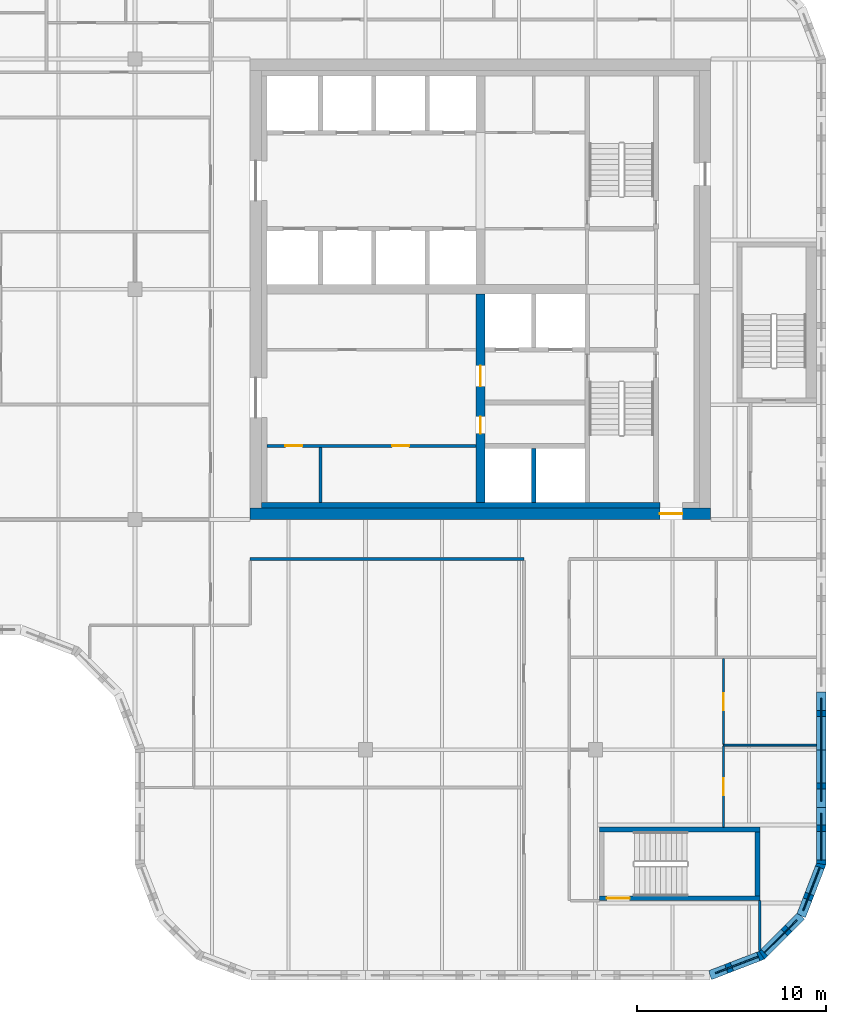
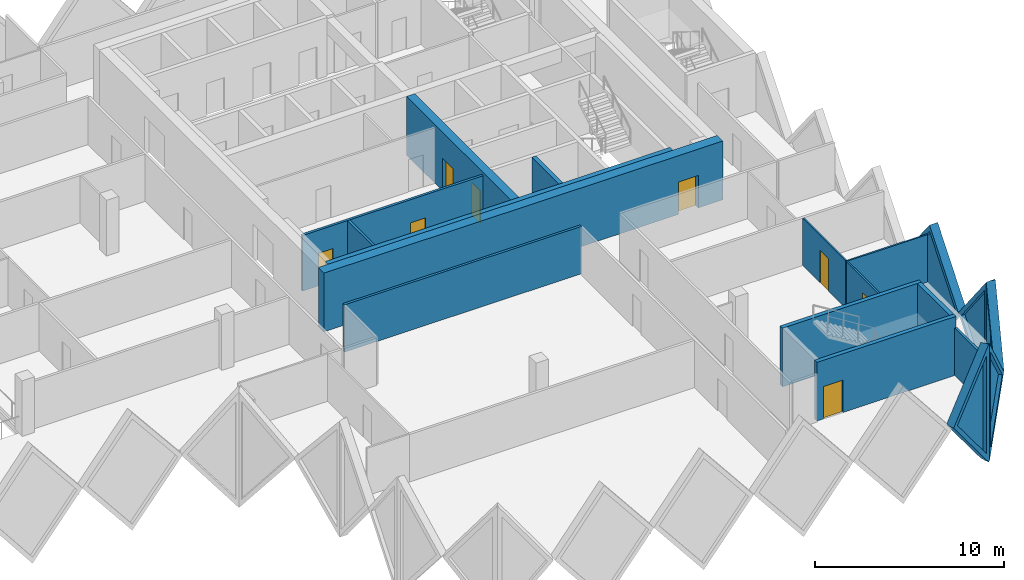
# One storey, part 5 of 11: 19 walls, 8 doors, 5 plates, 13 openings.
"""IFC4 building model written with IfcOpenShell, lengths in metres."""

from ifc_helpers import new_model, si_unit, direction, frame, frame_2d, origin, place, context, subcontext, project, spatial, polyline, rectangle, outline, extrude, faceted_brep, source, transform, mapped, material, layer, layer_set, type_object, element, fill, save


model = new_model("IFC4")

# Units and contexts
model_context = context("Model", 3, precision=1e-05, world=origin(), true_north=direction((0.0, 1.0)))
body_context = subcontext(model_context, "Body", "Model", "MODEL_VIEW")
ifc_project = project(units=[si_unit("LENGTHUNIT", "METRE"), si_unit("AREAUNIT", "SQUARE_METRE"), si_unit("VOLUMEUNIT", "CUBIC_METRE"), si_unit("PLANEANGLEUNIT", "RADIAN"), si_unit("MASSUNIT", "GRAM", prefix="KILO")], contexts=[model_context])

# Site, building, storey
site_placement = place(None, origin())
site = spatial("IfcSite", under=ifc_project, at=site_placement, CompositionType="ELEMENT")
building_placement = place(site_placement, origin())
building = spatial("IfcBuilding", under=site, at=building_placement, Name="Tessera Gate Towers", CompositionType="ELEMENT")
storey_placement = place(building_placement, frame((0.0, 0.0, 166.800048828125)))
storey = spatial("IfcBuildingStorey", under=building, at=storey_placement, Name="L41", CompositionType="ELEMENT", Elevation=166.800048828125)

# Wall
ifc_material_1 = material(Name="Concrete C40/50", Category="concrete")
ifc_layer_1 = layer(ifc_material_1, 0.25)
ifc_layer_set_1 = layer_set([ifc_layer_1], Name="CORE ENCLOSURE WALL 250")
wall_type_1 = type_object("IfcWallType", Name="CORE ENCLOSURE WALL 250", PredefinedType="SOLIDWALL", material=ifc_layer_set_1)
wall_1_placement = place(storey_placement, frame((45.52490234375, 25.300048828125, 0.0), z_axis=(0.0, 0.0, 1.0), x_axis=(0.0, 1.0, 0.0)))
element("IfcWall", 1, at=wall_1_placement, inside=storey, type_object=wall_type_1, Name="L41 shaft and stair enclosure wall", PredefinedType="SOLIDWALL", context=body_context, shape_type="SweptSolid", body=[
    extrude(rectangle(XDim=2.875, YDim=0.25, at=frame_2d((1.4375, 0.0))), origin(), (0.0, 0.0, 1.0), 3.800048828125),
])

# Wall, opening, door
wall_2_placement = place(storey_placement, frame((57.5, 4.324951171875, 0.0), z_axis=(0.0, 0.0, 1.0), x_axis=(-1.0, 0.0, 0.0)))
wall_2 = element("IfcWall", 2, at=wall_2_placement, inside=storey, type_object=wall_type_1, Name="L41 ST4 enclosure wall", PredefinedType="SOLIDWALL", context=body_context, shape_type="SweptSolid", body=[
    extrude(rectangle(XDim=8.5, YDim=0.25, at=frame_2d((4.25, 0.0))), origin(), (0.0, 0.0, 1.0), 3.800048828125),
])
shared_shape_1 = source(origin(), body_context, "Body", "SweptSolid", [
    extrude(rectangle(XDim=1.199951171875, YDim=2.10009765625, at=frame_2d((0.60009765625, 1.050048828125))), frame((0.0, 0.135009765625, 0.0), z_axis=(0.0, -1.0, 0.0), x_axis=(1.0, 0.0, 0.0)), (0.0, 0.0, 1.0), 0.27001953125),
])
opening_1_placement = place(wall_2_placement, frame((6.89990234375, 0.0, 0.0)))
opening_1 = element("IfcOpeningElement", 3, at=opening_1_placement, cuts=wall_2, Name="Opening SD-ST4-1", PredefinedType="OPENING", context=body_context, shape_type="MappedRepresentation", body=[
    mapped(shared_shape_1, transform((0.0, 0.0, 0.0), scale=1.0)),
])
ifc_material_2 = material(Name="Hollow steel fire door", Category="steel")
door_type_1 = type_object("IfcDoorType", Name="CORE DOOR SD 1200x2100", OperationType="NOTDEFINED", PredefinedType="DOOR", material=ifc_material_2)
shared_shape_2 = source(origin(), body_context, "Body", "SweptSolid", [
    extrude(rectangle(XDim=1.199951171875, YDim=2.10009765625, at=frame_2d((0.60009765625, 1.050048828125))), frame((0.0, 0.02490234375, 0.0), z_axis=(0.0, -1.0, 0.0), x_axis=(1.0, 0.0, 0.0)), (0.0, 0.0, 1.0), 0.050048828125),
])
door_1_placement = place(opening_1_placement, origin())
door_1 = element("IfcDoor", 4, at=door_1_placement, inside=storey, type_object=door_type_1, Name="Stair door", OperationType="SINGLE_SWING_RIGHT", OverallHeight=2.10009765625, OverallWidth=1.199951171875, PredefinedType="DOOR", context=body_context, shape_type="MappedRepresentation", body=[
    mapped(shared_shape_2, transform((0.0, 0.0, 0.0), scale=1.0)),
])
fill(opening_1, door_1)

# Walls
wall_3_placement = place(storey_placement, frame((49.0, 7.97509765625, 0.0), z_axis=(0.0, 0.0, 1.0), x_axis=(1.0, 0.0, 0.0)))
element("IfcWall", 5, at=wall_3_placement, inside=storey, type_object=wall_type_1, Name="L41 ST4 enclosure wall", PredefinedType="SOLIDWALL", context=body_context, shape_type="SweptSolid", body=[
    extrude(rectangle(XDim=8.5, YDim=0.25, at=frame_2d((4.25, 0.0))), origin(), (0.0, 0.0, 1.0), 3.800048828125),
])
wall_4_placement = place(storey_placement, frame((57.375, 7.85009765625, 0.0), z_axis=(0.0, 0.0, 1.0), x_axis=(0.0, -1.0, 0.0)))
element("IfcWall", 6, at=wall_4_placement, inside=storey, type_object=wall_type_1, Name="L41 ST4 enclosure wall", PredefinedType="SOLIDWALL", context=body_context, shape_type="SweptSolid", body=[
    extrude(rectangle(XDim=3.400146484375, YDim=0.25, at=frame_2d((1.7001953125, 0.0))), origin(), (0.0, 0.0, 1.0), 3.800048828125),
])

# Wall, opening, door
ifc_material_3 = material(Name="Concrete C50/60", Category="concrete")
ifc_layer_2 = layer(ifc_material_3, 0.60009765625)
ifc_layer_set_2 = layer_set([ifc_layer_2], Name="CORE SHEAR WALL 600 C50/60")
wall_type_2 = type_object("IfcWallType", Name="CORE SHEAR WALL 600 C50/60", PredefinedType="SHEAR", material=ifc_layer_set_2)
wall_5_placement = place(storey_placement, frame((54.89990234375, 24.699951171875, 0.0), z_axis=(0.0, 0.0, 1.0), x_axis=(-1.0, 0.0, 0.0)))
wall_5 = element("IfcWall", 7, at=wall_5_placement, inside=storey, type_object=wall_type_2, Name="Core wall S L41", PredefinedType="SHEAR", context=body_context, shape_type="SweptSolid", body=[
    extrude(rectangle(XDim=24.39990234375, YDim=0.60009765625, at=frame_2d((12.199951171875, 0.0))), origin(), (0.0, 0.0, 1.0), 3.800048828125),
])
shared_shape_3 = source(origin(), body_context, "Body", "SweptSolid", [
    extrude(rectangle(XDim=1.199951171875, YDim=2.10009765625, at=frame_2d((0.60009765625, 1.050048828125))), frame((0.0, 0.31005859375, 0.0), z_axis=(0.0, -1.0, 0.0), x_axis=(1.0, 0.0, 0.0)), (0.0, 0.0, 1.0), 0.6201171875),
])
opening_2_placement = place(wall_5_placement, frame((1.5, 0.0, 0.0)))
opening_2 = element("IfcOpeningElement", 8, at=opening_2_placement, cuts=wall_5, Name="Opening ED-T1-26-01", PredefinedType="OPENING", context=body_context, shape_type="MappedRepresentation", body=[
    mapped(shared_shape_3, transform((0.0, 0.0, 0.0), scale=1.0)),
])
ifc_material_4 = material(Name="Hollow steel fire door", Category="steel")
door_type_2 = type_object("IfcDoorType", Name="CORE DOOR ED 1200x2100", OperationType="NOTDEFINED", PredefinedType="DOOR", material=ifc_material_4)
door_2_placement = place(opening_2_placement, origin())
door_2 = element("IfcDoor", 9, at=door_2_placement, inside=storey, type_object=door_type_2, Name="Core exit door", OperationType="SINGLE_SWING_LEFT", OverallHeight=2.10009765625, OverallWidth=1.199951171875, PredefinedType="DOOR", context=body_context, shape_type="MappedRepresentation", body=[
    mapped(shared_shape_2, transform((0.0, 0.0, 0.0), scale=1.0)),
])
fill(opening_2, door_2)

# Wall, openings, doors
ifc_material_5 = material(Name="Concrete C50/60", Category="concrete")
ifc_layer_3 = layer(ifc_material_5, 0.5)
ifc_layer_set_3 = layer_set([ifc_layer_3], Name="CORE SPINE WALL 500 C50/60")
wall_type_3 = type_object("IfcWallType", Name="CORE SPINE WALL 500 C50/60", PredefinedType="SHEAR", material=ifc_layer_set_3)
wall_6_placement = place(storey_placement, frame((42.699951171875, 36.35009765625, 0.0), z_axis=(0.0, 0.0, 1.0), x_axis=(0.0, -1.0, 0.0)))
wall_6 = element("IfcWall", 10, at=wall_6_placement, inside=storey, type_object=wall_type_3, Name="Core wall spine L41", PredefinedType="SHEAR", context=body_context, shape_type="SweptSolid", body=[
    extrude(rectangle(XDim=11.050048828125, YDim=0.5, at=frame_2d((5.52490234375, 0.0))), origin(), (0.0, 0.0, 1.0), 3.800048828125),
])
shared_shape_4 = source(origin(), body_context, "Body", "SweptSolid", [
    extrude(rectangle(XDim=0.89990234375, YDim=2.10009765625, at=frame_2d((0.449951171875, 1.050048828125))), frame((0.0, 0.260009765625, 0.0), z_axis=(0.0, -1.0, 0.0), x_axis=(1.0, 0.0, 0.0)), (0.0, 0.0, 1.0), 0.52001953125),
])
opening_3_placement = place(wall_6_placement, frame((6.5, 0.0, 0.0)))
opening_3 = element("IfcOpeningElement", 11, at=opening_3_placement, cuts=wall_6, Name="Opening RD-T1-26-05", PredefinedType="OPENING", context=body_context, shape_type="MappedRepresentation", body=[
    mapped(shared_shape_4, transform((0.0, 0.0, 0.0), scale=1.0)),
])
shared_shape_5 = source(origin(), body_context, "Body", "SweptSolid", [
    extrude(rectangle(XDim=1.10009765625, YDim=2.10009765625, at=frame_2d((0.550048828125, 1.050048828125))), frame((0.0, 0.260009765625, 0.0), z_axis=(0.0, -1.0, 0.0), x_axis=(1.0, 0.0, 0.0)), (0.0, 0.0, 1.0), 0.52001953125),
])
opening_4_placement = place(wall_6_placement, frame((3.800048828125, 0.0, 0.0)))
opening_4 = element("IfcOpeningElement", 12, at=opening_4_placement, cuts=wall_6, Name="Opening FD-T1-26-06", PredefinedType="OPENING", context=body_context, shape_type="MappedRepresentation", body=[
    mapped(shared_shape_5, transform((0.0, 0.0, 0.0), scale=1.0)),
])
ifc_material_6 = material(Name="Hollow steel fire door", Category="steel")
door_type_3 = type_object("IfcDoorType", Name="CORE DOOR RD 900x2100", OperationType="NOTDEFINED", PredefinedType="DOOR", material=ifc_material_6)
shared_shape_6 = source(origin(), body_context, "Body", "SweptSolid", [
    extrude(rectangle(XDim=0.89990234375, YDim=2.10009765625, at=frame_2d((0.449951171875, 1.050048828125))), frame((0.0, 0.02490234375, 0.0), z_axis=(0.0, -1.0, 0.0), x_axis=(1.0, 0.0, 0.0)), (0.0, 0.0, 1.0), 0.050048828125),
])
door_3_placement = place(opening_3_placement, origin())
door_3 = element("IfcDoor", 13, at=door_3_placement, inside=storey, type_object=door_type_3, Name="Core room door", OperationType="SINGLE_SWING_RIGHT", OverallHeight=2.10009765625, OverallWidth=0.89990234375, PredefinedType="DOOR", context=body_context, shape_type="MappedRepresentation", body=[
    mapped(shared_shape_6, transform((0.0, 0.0, 0.0), scale=1.0)),
])
fill(opening_3, door_3)
ifc_material_7 = material(Name="Hollow steel fire door", Category="steel")
door_type_4 = type_object("IfcDoorType", Name="CORE DOOR FD 1100x2100", OperationType="NOTDEFINED", PredefinedType="DOOR", material=ifc_material_7)
shared_shape_7 = source(origin(), body_context, "Body", "SweptSolid", [
    extrude(rectangle(XDim=1.10009765625, YDim=2.10009765625, at=frame_2d((0.550048828125, 1.050048828125))), frame((0.0, 0.02490234375, 0.0), z_axis=(0.0, -1.0, 0.0), x_axis=(1.0, 0.0, 0.0)), (0.0, 0.0, 1.0), 0.050048828125),
])
door_4_placement = place(opening_4_placement, origin())
door_4 = element("IfcDoor", 14, at=door_4_placement, inside=storey, type_object=door_type_4, Name="Fire-fighting lobby door", OperationType="SINGLE_SWING_LEFT", OverallHeight=2.10009765625, OverallWidth=1.10009765625, PredefinedType="DOOR", context=body_context, shape_type="MappedRepresentation", body=[
    mapped(shared_shape_7, transform((0.0, 0.0, 0.0), scale=1.0)),
])
fill(opening_4, door_4)

# Walls
ifc_material_8 = material(Name="Concrete C50/60", Category="concrete")
ifc_layer_4 = layer(ifc_material_8, 0.300048828125)
ifc_layer_set_4 = layer_set([ifc_layer_4], Name="CORE WALL THICKENING 300")
wall_type_4 = type_object("IfcWallType", Name="CORE WALL THICKENING 300", PredefinedType="SOLIDWALL", material=ifc_layer_set_4)
wall_7_placement = place(storey_placement, frame((31.10009765625, 25.14990234375, 0.0), z_axis=(0.0, 0.0, 1.0), x_axis=(1.0, 0.0, 0.0)))
element("IfcWall", 15, at=wall_7_placement, inside=storey, type_object=wall_type_4, Name="Core wall thickening S L41", PredefinedType="SOLIDWALL", context=body_context, shape_type="SweptSolid", body=[
    extrude(rectangle(XDim=21.099853515625, YDim=0.300048828125, at=frame_2d((10.5498046875, 0.0))), origin(), (0.0, 0.0, 1.0), 3.800048828125),
])
ifc_material_9 = material(Name="Gypsum board on steel studs, mineral wool", Category="steel")
ifc_layer_5 = layer(ifc_material_9, 0.14990234375)
ifc_layer_set_5 = layer_set([ifc_layer_5], Name="CORRIDOR WALL 150")
wall_type_5 = type_object("IfcWallType", Name="CORRIDOR WALL 150", PredefinedType="PARTITIONING", material=ifc_layer_set_5)
wall_8_placement = place(storey_placement, frame((57.5, 1.55908203125, 0.0), z_axis=(0.0, 0.0, 1.0), x_axis=(0.0, 1.0, 0.0)))
element("IfcWall", 16, at=wall_8_placement, inside=storey, type_object=wall_type_5, Name="T1-L41-PW-002", PredefinedType="PARTITIONING", context=body_context, shape_type="SweptSolid", body=[
    extrude(rectangle(XDim=2.640869140625, YDim=0.14990234375, at=frame_2d((1.3203125, 0.0))), origin(), (0.0, 0.0, 1.0), 3.06689453125),
])
wall_9_placement = place(storey_placement, frame((30.5, 22.300048828125, 0.0), z_axis=(0.0, 0.0, 1.0), x_axis=(1.0, 0.0, 0.0)))
element("IfcWall", 17, at=wall_9_placement, inside=storey, type_object=wall_type_5, Name="T1-L41-PW-021", PredefinedType="PARTITIONING", context=body_context, shape_type="SweptSolid", body=[
    extrude(rectangle(XDim=14.5, YDim=0.14990234375, at=frame_2d((7.25, 0.0))), origin(), (0.0, 0.0, 1.0), 3.06689453125),
])

# Wall, opening, door
ifc_material_10 = material(Name="Gypsum board on steel studs", Category="steel")
ifc_layer_6 = layer(ifc_material_10, 0.10009765625)
ifc_layer_set_6 = layer_set([ifc_layer_6], Name="PARTITION 100")
wall_type_6 = type_object("IfcWallType", Name="PARTITION 100", PredefinedType="PARTITIONING", material=ifc_layer_set_6)
wall_10_placement = place(storey_placement, frame((55.574951171875, 12.396728515625, 0.0), z_axis=(0.0, 0.0, 1.0), x_axis=(0.0, -1.0, 0.0)))
wall_10 = element("IfcWall", 18, at=wall_10_placement, inside=storey, type_object=wall_type_6, Name="T1-L41-PW-005", PredefinedType="PARTITIONING", context=body_context, shape_type="SweptSolid", body=[
    extrude(rectangle(XDim=4.296630859375, YDim=0.10009765625, at=frame_2d((2.1484375, 0.0))), origin(), (0.0, 0.0, 1.0), 3.06689453125),
])
shared_shape_8 = source(origin(), body_context, "Body", "SweptSolid", [
    extrude(rectangle(XDim=0.89990234375, YDim=2.10009765625, at=frame_2d((0.449951171875, 1.050048828125))), frame((0.0, 0.06005859375, 0.0), z_axis=(0.0, -1.0, 0.0), x_axis=(1.0, 0.0, 0.0)), (0.0, 0.0, 1.0), 0.1201171875),
])
opening_5_placement = place(wall_10_placement, frame((1.69677734375, 0.0, 0.0)))
opening_5 = element("IfcOpeningElement", 19, at=opening_5_placement, cuts=wall_10, Name="Opening D190-A15-03", PredefinedType="OPENING", context=body_context, shape_type="MappedRepresentation", body=[
    mapped(shared_shape_8, transform((0.0, 0.0, 0.0), scale=1.0)),
])
ifc_material_11 = material(Name="Timber door leaf in steel frame", Category="steel")
door_type_5 = type_object("IfcDoorType", Name="INTERNAL DOOR 900 NOT RATED", OperationType="NOTDEFINED", PredefinedType="DOOR", material=ifc_material_11)
door_5_placement = place(opening_5_placement, origin())
door_5 = element("IfcDoor", 20, at=door_5_placement, inside=storey, type_object=door_type_5, Name="T1-L41-PD-004", OperationType="SINGLE_SWING_RIGHT", OverallHeight=2.10009765625, OverallWidth=0.89990234375, PredefinedType="DOOR", context=body_context, shape_type="MappedRepresentation", body=[
    mapped(shared_shape_6, transform((0.0, 0.0, 0.0), scale=1.0)),
])
fill(opening_5, door_5)

# Wall
wall_11_placement = place(storey_placement, frame((55.574951171875, 12.447998046875, 0.0), z_axis=(0.0, 0.0, 1.0), x_axis=(1.0, 0.0, 0.0)))
element("IfcWall", 21, at=wall_11_placement, inside=storey, type_object=wall_type_6, Name="T1-L41-PW-010", PredefinedType="PARTITIONING", context=body_context, shape_type="SweptSolid", body=[
    extrude(rectangle(XDim=4.925048828125, YDim=0.10009765625, at=frame_2d((2.46240234375, 0.0))), origin(), (0.0, 0.0, 1.0), 3.06689453125),
])

# Wall, opening, door
wall_12_placement = place(storey_placement, frame((55.574951171875, 17.02392578125, 0.0), z_axis=(0.0, 0.0, 1.0), x_axis=(0.0, -1.0, 0.0)))
wall_12 = element("IfcWall", 22, at=wall_12_placement, inside=storey, type_object=wall_type_6, Name="T1-L41-PW-011", PredefinedType="PARTITIONING", context=body_context, shape_type="SweptSolid", body=[
    extrude(rectangle(XDim=4.525146484375, YDim=0.10009765625, at=frame_2d((2.2626953125, 0.0))), origin(), (0.0, 0.0, 1.0), 3.06689453125),
])
opening_6_placement = place(wall_12_placement, frame((1.8251953125, 0.0, 0.0)))
opening_6 = element("IfcOpeningElement", 23, at=opening_6_placement, cuts=wall_12, Name="Opening D190-A15-05", PredefinedType="OPENING", context=body_context, shape_type="MappedRepresentation", body=[
    mapped(shared_shape_8, transform((0.0, 0.0, 0.0), scale=1.0)),
])
door_6_placement = place(opening_6_placement, origin())
door_6 = element("IfcDoor", 24, at=door_6_placement, inside=storey, type_object=door_type_5, Name="T1-L41-PD-006", OperationType="SINGLE_SWING_RIGHT", OverallHeight=2.10009765625, OverallWidth=0.89990234375, PredefinedType="DOOR", context=body_context, shape_type="MappedRepresentation", body=[
    mapped(shared_shape_6, transform((0.0, 0.0, 0.0), scale=1.0)),
])
fill(opening_6, door_6)

# Wall, openings, doors
ifc_material_12 = material(Name="Gypsum board on steel studs", Category="steel")
ifc_layer_7 = layer(ifc_material_12, 0.14990234375)
ifc_layer_set_7 = layer_set([ifc_layer_7], Name="SERVICE ROOM WALL 150")
wall_type_7 = type_object("IfcWallType", Name="SERVICE ROOM WALL 150", PredefinedType="PARTITIONING", material=ifc_layer_set_7)
wall_13_placement = place(storey_placement, frame((42.449951171875, 28.300048828125, 0.0), z_axis=(0.0, 0.0, 1.0), x_axis=(-1.0, 0.0, 0.0)))
wall_13 = element("IfcWall", 25, at=wall_13_placement, inside=storey, type_object=wall_type_7, Name="L41 service room wall", PredefinedType="PARTITIONING", context=body_context, shape_type="SweptSolid", body=[
    extrude(rectangle(XDim=11.050048828125, YDim=0.14990234375, at=frame_2d((5.52490234375, 0.0))), origin(), (0.0, 0.0, 1.0), 3.599853515625),
])
shared_shape_9 = source(origin(), body_context, "Body", "SweptSolid", [
    extrude(rectangle(XDim=0.89990234375, YDim=2.10009765625, at=frame_2d((0.449951171875, 1.050048828125))), frame((0.0, 0.0849609375, 0.0), z_axis=(0.0, -1.0, 0.0), x_axis=(1.0, 0.0, 0.0)), (0.0, 0.0, 1.0), 0.169921875),
])
opening_7_placement = place(wall_13_placement, frame((9.1875, 0.0, 0.0)))
opening_7 = element("IfcOpeningElement", 26, at=opening_7_placement, cuts=wall_13, Name="Opening RD-T1-26-07", PredefinedType="OPENING", context=body_context, shape_type="MappedRepresentation", body=[
    mapped(shared_shape_9, transform((0.0, 0.0, 0.0), scale=1.0)),
])
opening_8_placement = place(wall_13_placement, frame((3.53759765625, 0.0, 0.0)))
opening_8 = element("IfcOpeningElement", 27, at=opening_8_placement, cuts=wall_13, Name="Opening RD-T1-26-08", PredefinedType="OPENING", context=body_context, shape_type="MappedRepresentation", body=[
    mapped(shared_shape_9, transform((0.0, 0.0, 0.0), scale=1.0)),
])
door_7_placement = place(opening_7_placement, origin())
door_7 = element("IfcDoor", 28, at=door_7_placement, inside=storey, type_object=door_type_3, Name="Core room door", OperationType="SINGLE_SWING_RIGHT", OverallHeight=2.10009765625, OverallWidth=0.89990234375, PredefinedType="DOOR", context=body_context, shape_type="MappedRepresentation", body=[
    mapped(shared_shape_6, transform((0.0, 0.0, 0.0), scale=1.0)),
])
fill(opening_7, door_7)
door_8_placement = place(opening_8_placement, origin())
door_8 = element("IfcDoor", 29, at=door_8_placement, inside=storey, type_object=door_type_3, Name="Core room door", OperationType="SINGLE_SWING_LEFT", OverallHeight=2.10009765625, OverallWidth=0.89990234375, PredefinedType="DOOR", context=body_context, shape_type="MappedRepresentation", body=[
    mapped(shared_shape_6, transform((0.0, 0.0, 0.0), scale=1.0)),
])
fill(opening_8, door_8)

# Wall
wall_14_placement = place(storey_placement, frame((34.22509765625, 25.300048828125, 0.0), z_axis=(0.0, 0.0, 1.0), x_axis=(0.0, 1.0, 0.0)))
element("IfcWall", 30, at=wall_14_placement, inside=storey, type_object=wall_type_7, Name="L41 service room wall", PredefinedType="PARTITIONING", context=body_context, shape_type="SweptSolid", body=[
    extrude(rectangle(XDim=2.925048828125, YDim=0.14990234375, at=frame_2d((1.46240234375, 0.0))), origin(), (0.0, 0.0, 1.0), 3.599853515625),
])

# Wall, opening, plate
ifc_material_13 = material(Name="Precast concrete C60/75 white", Category="concrete")
ifc_layer_8 = layer(ifc_material_13, 0.5)
ifc_layer_set_8 = layer_set([ifc_layer_8], Name="TS1 tessera")
wall_type_8 = type_object("IfcWallType", Name="TS1 tessera", PredefinedType="SOLIDWALL", material=ifc_layer_set_8)
shared_shape_10 = source(origin(), body_context, "Body", "SweptSolid", [
    extrude(outline(polyline([(3.050048828125, 0.0), (6.10009765625, 3.800048828125), (3.050048828125, 7.60009765625), (0.0, 3.800048828125), (3.050048828125, 0.0)])), frame((0.0, 0.25, 0.0), z_axis=(0.0, -1.0, 0.0), x_axis=(1.0, 0.0, 0.0)), (0.0, 0.0, 1.0), 0.5),
])
wall_15_placement = place(storey_placement, frame((60.75, 9.14990234375, -3.800048828125), z_axis=(0.0, 0.0, 1.0), x_axis=(0.0, 1.0, 0.0)))
wall_15 = element("IfcWall", 31, at=wall_15_placement, inside=storey, type_object=wall_type_8, Name="Precast tessera T1 TS1-0694", PredefinedType="SOLIDWALL", context=body_context, shape_type="MappedRepresentation", body=[
    mapped(shared_shape_10, transform((0.0, 0.0, 0.0), scale=1.0)),
])
shared_shape_11 = source(origin(), body_context, "Body", "SweptSolid", [
    extrude(outline(polyline([(3.050048828125, 0.3994140625), (5.779541015625, 3.800048828125), (3.050048828125, 7.20068359375), (0.320556640625, 3.800048828125), (3.050048828125, 0.3994140625)])), frame((0.0, 0.260009765625, 0.0), z_axis=(0.0, -1.0, 0.0), x_axis=(1.0, 0.0, 0.0)), (0.0, 0.0, 1.0), 0.52001953125),
])
opening_9_placement = place(wall_15_placement, origin())
opening_9 = element("IfcOpeningElement", 32, at=opening_9_placement, cuts=wall_15, Name="Opening T1-PL2-1418", PredefinedType="OPENING", context=body_context, shape_type="MappedRepresentation", body=[
    mapped(shared_shape_11, transform((0.0, 0.0, 0.0), scale=1.0)),
])
ifc_material_14 = material(Name="Low-e laminated glass", Category="glass")
ifc_layer_9 = layer(ifc_material_14, 0.06005859375)
ifc_layer_set_9 = layer_set([ifc_layer_9], Name="PL2 rhombic pane")
plate_type = type_object("IfcPlateType", Name="PL2 rhombic pane", PredefinedType="SHEET", material=ifc_layer_set_9)
shared_shape_12 = source(origin(), body_context, "Body", "SweptSolid", [
    extrude(outline(polyline([(3.050048828125, 0.3994140625), (5.779541015625, 3.800048828125), (3.050048828125, 7.20068359375), (0.320556640625, 3.800048828125), (3.050048828125, 0.3994140625)])), frame((0.0, 0.030029296875, 0.0), z_axis=(0.0, -1.0, 0.0), x_axis=(1.0, 0.0, 0.0)), (0.0, 0.0, 1.0), 0.06005859375),
])
plate_1_placement = place(opening_9_placement, origin())
plate_1 = element("IfcPlate", 33, at=plate_1_placement, inside=storey, type_object=plate_type, Name="Glass pane T1 PL2-1418", PredefinedType="SHEET", context=body_context, shape_type="MappedRepresentation", body=[
    mapped(shared_shape_12, transform((0.0, 0.0, 0.0), scale=1.0)),
])
fill(opening_9, plate_1)

ifc_material_15 = material(Name="Precast concrete C60/75 white", Category="concrete")
ifc_layer_10 = layer(ifc_material_15, 0.5)
ifc_layer_set_10 = layer_set([ifc_layer_10], Name="TS3 corner tessera")
wall_type_9 = type_object("IfcWallType", Name="TS3 corner tessera", PredefinedType="SOLIDWALL", material=ifc_layer_set_10)
shared_shape_13 = source(origin(), body_context, "Body", "Brep", [
    faceted_brep([(2.950439453125, -0.25, 0.0), (3.00341796875, -0.25, 0.068359375), (3.00341796875, -0.25, 7.53173828125), (2.950439453125, -0.25, 7.60009765625), (0.0, -0.25, 3.800048828125), (0.046630859375, 0.25, 3.860107421875), (2.897705078125, 0.25, 7.531982421875), (2.897705078125, 0.25, 0.068115234375), (0.046630859375, 0.25, 3.739990234375), (2.950439453125, 0.00048828125, 0.0), (2.950439453125, 0.00048828125, 7.60009765625), (0.0, 0.0, 3.800048828125)], [[[0, 1, 2, 3, 4]], [[5, 6, 7, 8]], [[1, 0, 9]], [[10, 3, 2]], [[6, 5, 11, 4, 3, 10]], [[8, 7, 9, 0, 4, 11]], [[8, 11, 5]], [[1, 9, 7, 6, 10, 2]]]),
])
wall_16_placement = place(storey_placement, frame((54.853515625, 0.25, -3.800048828125), z_axis=(0.0, 0.0, 1.0), x_axis=(0.932970071518, 0.359953949349, 0.0)))
wall_16 = element("IfcWall", 34, at=wall_16_placement, inside=storey, type_object=wall_type_9, Name="Precast corner tessera T1 TS3-0937", PredefinedType="SOLIDWALL", context=body_context, shape_type="MappedRepresentation", body=[
    mapped(shared_shape_13, transform((0.0, 0.0, 0.0), scale=1.0)),
])
shared_shape_14 = source(origin(), body_context, "Body", "SweptSolid", [
    extrude(outline(polyline([(2.75048828125, 6.934814453125), (0.31640625, 3.800048828125), (2.75048828125, 0.665283203125), (2.75048828125, 6.934814453125)])), frame((0.0, 0.260009765625, 0.0), z_axis=(0.0, -1.0, 0.0), x_axis=(1.0, 0.0, 0.0)), (0.0, 0.0, 1.0), 0.52001953125),
])
opening_10_placement = place(wall_16_placement, origin())
opening_10 = element("IfcOpeningElement", 35, at=opening_10_placement, cuts=wall_16, Name="Opening T1-PL2-1414", PredefinedType="OPENING", context=body_context, shape_type="MappedRepresentation", body=[
    mapped(shared_shape_14, transform((0.0, 0.0, 0.0), scale=1.0)),
])
shared_shape_15 = source(origin(), body_context, "Body", "SweptSolid", [
    extrude(outline(polyline([(2.75048828125, 6.934814453125), (0.31640625, 3.800048828125), (2.75048828125, 0.665283203125), (2.75048828125, 6.934814453125)])), frame((0.0, 0.030029296875, 0.0), z_axis=(0.0, -1.0, 0.0), x_axis=(1.0, 0.0, 0.0)), (0.0, 0.0, 1.0), 0.06005859375),
])
plate_2_placement = place(opening_10_placement, origin())
plate_2 = element("IfcPlate", 36, at=plate_2_placement, inside=storey, type_object=plate_type, Name="Glass pane T1 PL2-1414", PredefinedType="SHEET", context=body_context, shape_type="MappedRepresentation", body=[
    mapped(shared_shape_15, transform((0.0, 0.0, 0.0), scale=1.0)),
])
fill(opening_10, plate_2)

shared_shape_16 = source(origin(), body_context, "Body", "Brep", [
    faceted_brep([(0.052978515625, -0.25, 0.0), (2.9970703125, -0.25, 3.800048828125), (0.052978515625, -0.25, 7.60009765625), (0.0, -0.25, 7.531982421875), (0.0, -0.25, 0.068115234375), (0.10595703125, 0.25, 7.53173828125), (2.944091796875, 0.25, 3.8681640625), (2.944091796875, 0.25, 3.73193359375), (0.10595703125, 0.25, 0.068359375), (2.9970703125, 0.000244140625, 3.800048828125), (0.052978515625, 0.0, 0.0), (0.052978515625, 0.0, 7.60009765625)], [[[0, 1, 2, 3, 4]], [[5, 6, 7, 8]], [[8, 7, 9, 1, 0, 10]], [[6, 5, 11, 2, 1, 9]], [[3, 2, 11]], [[10, 0, 4]], [[8, 10, 4, 3, 11, 5]], [[9, 7, 6]]]),
])
wall_17_placement = place(storey_placement, frame((57.56884765625, 1.2744140625, -3.800048828125), z_axis=(0.0, 0.0, 1.0), x_axis=(0.707066050402, 0.707147509625, 0.0)))
wall_17 = element("IfcWall", 37, at=wall_17_placement, inside=storey, type_object=wall_type_9, Name="Precast corner tessera T1 TS3-0938", PredefinedType="SOLIDWALL", context=body_context, shape_type="MappedRepresentation", body=[
    mapped(shared_shape_16, transform((0.0, 0.0, 0.0), scale=1.0)),
])
shared_shape_17 = source(origin(), body_context, "Body", "SweptSolid", [
    extrude(outline(polyline([(0.2529296875, 0.666259765625), (2.680908203125, 3.800048828125), (0.2529296875, 6.93359375), (0.2529296875, 0.666259765625)])), frame((0.0, 0.260009765625, 0.0), z_axis=(0.0, -1.0, 0.0), x_axis=(1.0, 0.0, 0.0)), (0.0, 0.0, 1.0), 0.52001953125),
])
opening_11_placement = place(wall_17_placement, origin())
opening_11 = element("IfcOpeningElement", 38, at=opening_11_placement, cuts=wall_17, Name="Opening T1-PL2-1415", PredefinedType="OPENING", context=body_context, shape_type="MappedRepresentation", body=[
    mapped(shared_shape_17, transform((0.0, 0.0, 0.0), scale=1.0)),
])
shared_shape_18 = source(origin(), body_context, "Body", "SweptSolid", [
    extrude(outline(polyline([(0.2529296875, 0.666259765625), (2.680908203125, 3.800048828125), (0.2529296875, 6.93359375), (0.2529296875, 0.666259765625)])), frame((0.0, 0.030029296875, 0.0), z_axis=(0.0, -1.0, 0.0), x_axis=(1.0, 0.0, 0.0)), (0.0, 0.0, 1.0), 0.06005859375),
])
plate_3_placement = place(opening_11_placement, origin())
plate_3 = element("IfcPlate", 39, at=plate_3_placement, inside=storey, type_object=plate_type, Name="Glass pane T1 PL2-1415", PredefinedType="SHEET", context=body_context, shape_type="MappedRepresentation", body=[
    mapped(shared_shape_18, transform((0.0, 0.0, 0.0), scale=1.0)),
])
fill(opening_11, plate_3)

shared_shape_19 = source(origin(), body_context, "Body", "Brep", [
    faceted_brep([(2.950439453125, -0.25, 0.0), (2.9970703125, -0.25, 0.05908203125), (2.9970703125, -0.25, 7.541015625), (2.950439453125, -0.25, 7.60009765625), (0.0, -0.25, 3.800048828125), (0.052978515625, 0.25, 3.8681640625), (2.904052734375, 0.25, 7.540283203125), (2.904052734375, 0.25, 0.059814453125), (0.052978515625, 0.25, 3.73193359375), (2.950439453125, 0.00048828125, 0.0), (2.950439453125, 0.00048828125, 7.60009765625), (0.0, 0.0, 3.800048828125)], [[[0, 1, 2, 3, 4]], [[5, 6, 7, 8]], [[1, 0, 9]], [[10, 3, 2]], [[6, 5, 11, 4, 3, 10]], [[8, 7, 9, 0, 4, 11]], [[8, 11, 5]], [[1, 9, 7, 6, 10, 2]]]),
])
wall_18_placement = place(storey_placement, frame((59.68798828125, 3.393798828125, -3.800048828125), z_axis=(0.0, 0.0, 1.0), x_axis=(0.359972353723, 0.932962970624, 0.0)))
wall_18 = element("IfcWall", 40, at=wall_18_placement, inside=storey, type_object=wall_type_9, Name="Precast corner tessera T1 TS3-0939", PredefinedType="SOLIDWALL", context=body_context, shape_type="MappedRepresentation", body=[
    mapped(shared_shape_19, transform((0.0, 0.0, 0.0), scale=1.0)),
])
opening_12_placement = place(wall_18_placement, origin())
opening_12 = element("IfcOpeningElement", 41, at=opening_12_placement, cuts=wall_18, Name="Opening T1-PL2-1416", PredefinedType="OPENING", context=body_context, shape_type="MappedRepresentation", body=[
    mapped(shared_shape_14, transform((0.0, 0.0, 0.0), scale=1.0)),
])
plate_4_placement = place(opening_12_placement, origin())
plate_4 = element("IfcPlate", 42, at=plate_4_placement, inside=storey, type_object=plate_type, Name="Glass pane T1 PL2-1416", PredefinedType="SHEET", context=body_context, shape_type="MappedRepresentation", body=[
    mapped(shared_shape_15, transform((0.0, 0.0, 0.0), scale=1.0)),
])
fill(opening_12, plate_4)

shared_shape_20 = source(origin(), body_context, "Body", "Brep", [
    faceted_brep([(0.046630859375, -0.25, 0.0), (3.050048828125, -0.25, 3.800048828125), (0.046630859375, -0.25, 7.60009765625), (0.0, -0.25, 7.5400390625), (0.0, -0.25, 0.06005859375), (0.09326171875, 0.25, 7.541259765625), (3.050048828125, 0.25, 3.800048828125), (0.09326171875, 0.25, 0.058837890625), (0.046630859375, 0.0, 0.0), (0.046630859375, 0.0, 7.60009765625)], [[[0, 1, 2, 3, 4]], [[5, 6, 7]], [[7, 6, 1, 0, 8]], [[6, 5, 9, 2, 1]], [[3, 2, 9]], [[8, 0, 4]], [[7, 8, 4, 3, 9, 5]]]),
])
wall_19_placement = place(storey_placement, frame((60.75, 6.099853515625, -3.800048828125), z_axis=(0.0, 0.0, 1.0), x_axis=(0.0, 1.0, 0.0)))
wall_19 = element("IfcWall", 43, at=wall_19_placement, inside=storey, type_object=wall_type_9, Name="Precast corner tessera T1 TS3-0940", PredefinedType="SOLIDWALL", context=body_context, shape_type="MappedRepresentation", body=[
    mapped(shared_shape_20, transform((0.0, 0.0, 0.0), scale=1.0)),
])
shared_shape_21 = source(origin(), body_context, "Body", "SweptSolid", [
    extrude(outline(polyline([(0.24658203125, 0.65625), (2.7314453125, 3.800048828125), (0.24658203125, 6.94384765625), (0.24658203125, 0.65625)])), frame((0.0, 0.260009765625, 0.0), z_axis=(0.0, -1.0, 0.0), x_axis=(1.0, 0.0, 0.0)), (0.0, 0.0, 1.0), 0.52001953125),
])
opening_13_placement = place(wall_19_placement, origin())
opening_13 = element("IfcOpeningElement", 44, at=opening_13_placement, cuts=wall_19, Name="Opening T1-PL2-1417", PredefinedType="OPENING", context=body_context, shape_type="MappedRepresentation", body=[
    mapped(shared_shape_21, transform((0.0, 0.0, 0.0), scale=1.0)),
])
shared_shape_22 = source(origin(), body_context, "Body", "SweptSolid", [
    extrude(outline(polyline([(0.24658203125, 0.65625), (2.7314453125, 3.800048828125), (0.24658203125, 6.94384765625), (0.24658203125, 0.65625)])), frame((0.0, 0.030029296875, 0.0), z_axis=(0.0, -1.0, 0.0), x_axis=(1.0, 0.0, 0.0)), (0.0, 0.0, 1.0), 0.06005859375),
])
plate_5_placement = place(opening_13_placement, origin())
plate_5 = element("IfcPlate", 45, at=plate_5_placement, inside=storey, type_object=plate_type, Name="Glass pane T1 PL2-1417", PredefinedType="SHEET", context=body_context, shape_type="MappedRepresentation", body=[
    mapped(shared_shape_22, transform((0.0, 0.0, 0.0), scale=1.0)),
])
fill(opening_13, plate_5)

save(model, "model.ifc")
